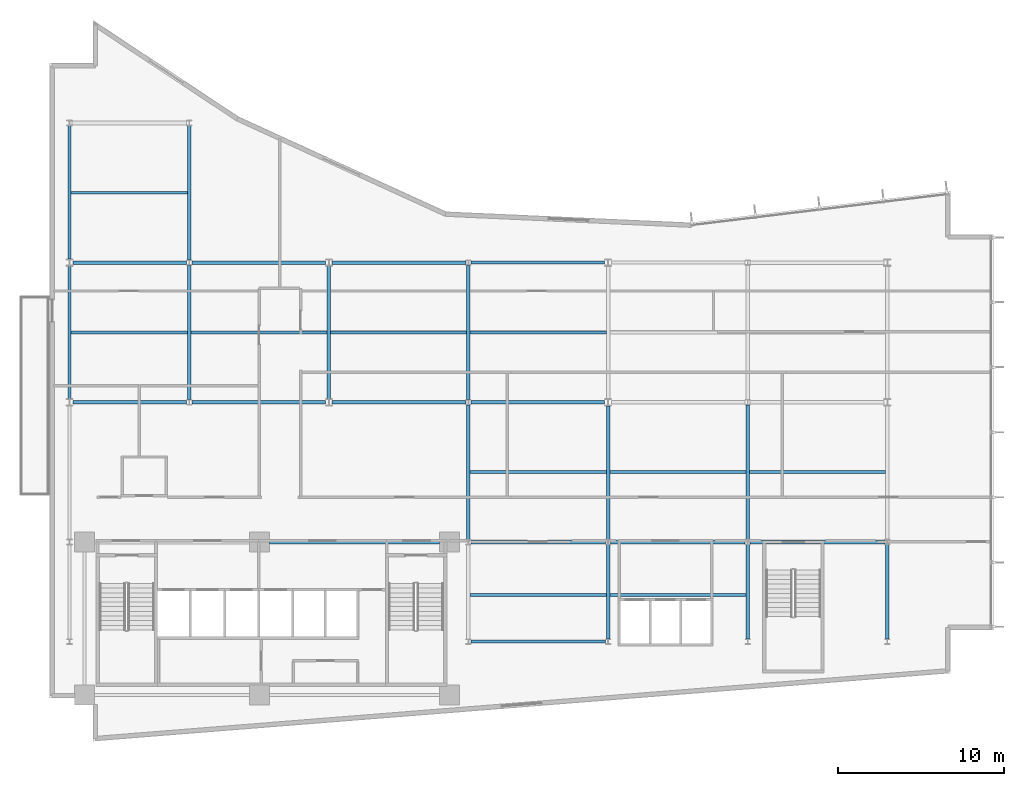
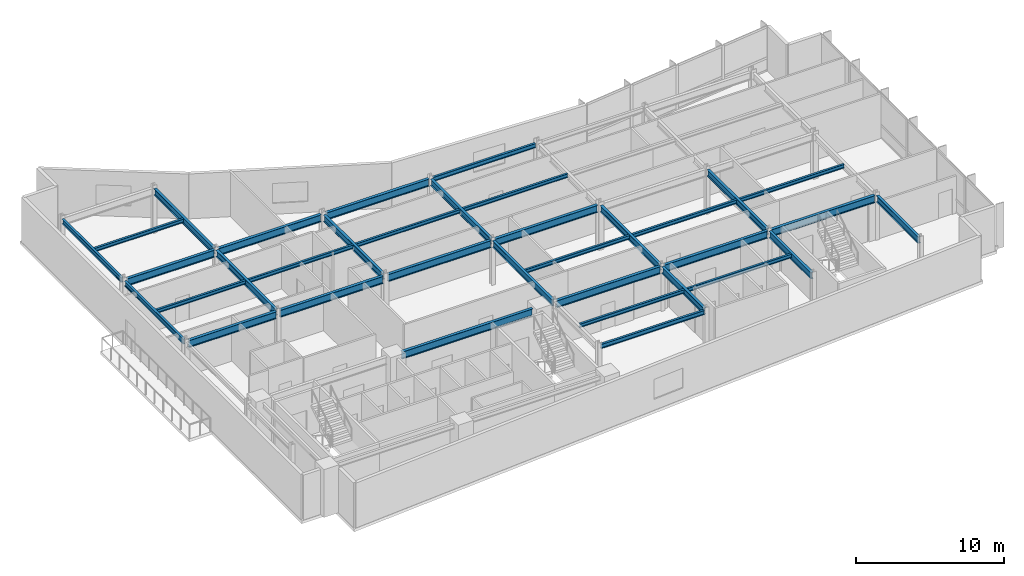
# One storey, part 4 of 16: 35 beams.
"""IFC4 building model written with IfcOpenShell, lengths in metres."""

from ifc_helpers import new_model, si_unit, direction, frame, origin, origin_2d, place, context, subcontext, project, spatial, i_section, extrude, material, material_profile, profile_set, type_object, element, save


model = new_model("IFC4")

# Units and contexts
model_context = context("Model", 3, precision=1e-05, world=origin(), true_north=direction((0.0, 1.0)))
body_context = subcontext(model_context, "Body", "Model", "MODEL_VIEW")
ifc_project = project(units=[si_unit("LENGTHUNIT", "METRE"), si_unit("AREAUNIT", "SQUARE_METRE"), si_unit("VOLUMEUNIT", "CUBIC_METRE"), si_unit("PLANEANGLEUNIT", "RADIAN"), si_unit("MASSUNIT", "GRAM", prefix="KILO")], contexts=[model_context])

# Site, building, storey
site_placement = place(None, origin())
site = spatial("IfcSite", under=ifc_project, at=site_placement, CompositionType="ELEMENT")
building_placement = place(site_placement, origin())
building = spatial("IfcBuilding", under=site, at=building_placement, Name="Varnakote Quay Hospital", CompositionType="ELEMENT")
storey_placement = place(building_placement, frame((0.0, 0.0, 166.550048828125)))
storey = spatial("IfcBuildingStorey", under=building, at=storey_placement, Name="L41", CompositionType="ELEMENT", Elevation=166.550048828125)

# Beams
ifc_material_1 = material(Name="Structural steel AS/NZS 3679.1 Grade 350 L0 (fy 340 MPa)", Category="steel")
ifc_material_profile_1 = material_profile(ifc_material_1, i_section(OverallWidth=0.208984375, OverallDepth=0.532958984375, WebThickness=0.01025390625, FlangeThickness=0.015625, FilletRadius=0.013916015625, at=origin_2d()), Name="530UB92.4")
ifc_profile_set_1 = profile_set([ifc_material_profile_1], Name="Structural steel AS/NZS 3679.1 Grade 350 L0 (fy 340 MPa)")
beam_type_1 = type_object("IfcBeamType", Name="BM-STL-530UB92-4", PredefinedType="BEAM", material=ifc_profile_set_1)
for number, where, z_axis, x_axis, name in (
    (1, (8.39990234375, 20.5576171875, 3.443359375), (0.0, 1.0, 0.0), (-1.0, 0.0, 0.0), "L41 Primary Tie Beam"),
    (2, (8.39990234375, 28.95751953125, 3.443359375), (0.0, 1.0, 0.0), (-1.0, 0.0, 0.0), "L41 Primary Tie Beam"),
):
    element("IfcBeam", number, at=place(storey_placement, frame(where, z_axis=z_axis, x_axis=x_axis)), inside=storey, type_object=beam_type_1, Name=name, PredefinedType="BEAM", context=body_context, shape_type="SweptSolid", body=[
        extrude(i_section(OverallWidth=0.208984375, OverallDepth=0.532958984375, WebThickness=0.01025390625, FlangeThickness=0.015625, FilletRadius=0.013916015625, at=origin_2d()), origin(), (0.0, 0.0, 1.0), 8.0849609375),
    ])
beam_1_placement = place(storey_placement, frame((16.800048828125, 20.610107421875, 3.443359375), z_axis=(0.0, 1.0, 0.0), x_axis=(-1.0, 0.0, 0.0)))
element("IfcBeam", 3, at=beam_1_placement, inside=storey, type_object=beam_type_1, Name="L41 Primary Tie Beam", PredefinedType="BEAM", context=body_context, shape_type="SweptSolid", body=[
    extrude(i_section(OverallWidth=0.208984375, OverallDepth=0.532958984375, WebThickness=0.01025390625, FlangeThickness=0.015625, FilletRadius=0.013916015625, at=origin_2d()), origin(), (0.0, 0.0, 1.0), 7.97998046875),
])
for number, where, z_axis, x_axis, name in (
    (4, (25.199951171875, 12.157470703125, 3.443359375), (0.0, 1.0, 0.0), (-1.0, 0.0, 0.0), "L41 Primary Tie Beam"),
    (5, (25.199951171875, 20.5576171875, 3.443359375), (0.0, 1.0, 0.0), (-1.0, 0.0, 0.0), "L41 Primary Tie Beam"),
):
    element("IfcBeam", number, at=place(storey_placement, frame(where, z_axis=z_axis, x_axis=x_axis)), inside=storey, type_object=beam_type_1, Name=name, PredefinedType="BEAM", context=body_context, shape_type="SweptSolid", body=[
        extrude(i_section(OverallWidth=0.208984375, OverallDepth=0.532958984375, WebThickness=0.01025390625, FlangeThickness=0.015625, FilletRadius=0.013916015625, at=origin_2d()), origin(), (0.0, 0.0, 1.0), 8.0849609375),
    ])
beam_2_placement = place(storey_placement, frame((33.60009765625, 6.157470703125, 3.443359375), z_axis=(0.0, 1.0, 0.0), x_axis=(-1.0, 0.0, 0.0)))
element("IfcBeam", 6, at=beam_2_placement, inside=storey, type_object=beam_type_1, Name="L41 Primary Tie Beam", PredefinedType="BEAM", context=body_context, shape_type="SweptSolid", body=[
    extrude(i_section(OverallWidth=0.208984375, OverallDepth=0.532958984375, WebThickness=0.01025390625, FlangeThickness=0.015625, FilletRadius=0.013916015625, at=origin_2d()), origin(), (0.0, 0.0, 1.0), 5.68505859375),
])
beam_3_placement = place(storey_placement, frame((33.60009765625, 12.157470703125, 3.443359375), z_axis=(0.0, 1.0, 0.0), x_axis=(-1.0, 0.0, 0.0)))
element("IfcBeam", 7, at=beam_3_placement, inside=storey, type_object=beam_type_1, Name="L41 Primary Tie Beam", PredefinedType="BEAM", context=body_context, shape_type="SweptSolid", body=[
    extrude(i_section(OverallWidth=0.208984375, OverallDepth=0.532958984375, WebThickness=0.01025390625, FlangeThickness=0.015625, FilletRadius=0.013916015625, at=origin_2d()), origin(), (0.0, 0.0, 1.0), 8.032470703125),
])
beam_4_placement = place(storey_placement, frame((42.0, 6.157470703125, 3.443359375), z_axis=(0.0, 1.0, 0.0), x_axis=(-1.0, 0.0, 0.0)))
element("IfcBeam", 8, at=beam_4_placement, inside=storey, type_object=beam_type_1, Name="L41 Primary Tie Beam", PredefinedType="BEAM", context=body_context, shape_type="SweptSolid", body=[
    extrude(i_section(OverallWidth=0.208984375, OverallDepth=0.532958984375, WebThickness=0.01025390625, FlangeThickness=0.015625, FilletRadius=0.013916015625, at=origin_2d()), origin(), (0.0, 0.0, 1.0), 5.68505859375),
])
beam_5_placement = place(storey_placement, frame((42.0, 12.157470703125, 3.443359375), z_axis=(0.0, 1.0, 0.0), x_axis=(-1.0, 0.0, 0.0)))
element("IfcBeam", 9, at=beam_5_placement, inside=storey, type_object=beam_type_1, Name="L41 Primary Tie Beam", PredefinedType="BEAM", context=body_context, shape_type="SweptSolid", body=[
    extrude(i_section(OverallWidth=0.208984375, OverallDepth=0.532958984375, WebThickness=0.01025390625, FlangeThickness=0.015625, FilletRadius=0.013916015625, at=origin_2d()), origin(), (0.0, 0.0, 1.0), 8.0849609375),
])
beam_6_placement = place(storey_placement, frame((50.39990234375, 6.157470703125, 3.443359375), z_axis=(0.0, 1.0, 0.0), x_axis=(-1.0, 0.0, 0.0)))
element("IfcBeam", 10, at=beam_6_placement, inside=storey, type_object=beam_type_1, Name="L41 Primary Tie Beam", PredefinedType="BEAM", context=body_context, shape_type="SweptSolid", body=[
    extrude(i_section(OverallWidth=0.208984375, OverallDepth=0.532958984375, WebThickness=0.01025390625, FlangeThickness=0.015625, FilletRadius=0.013916015625, at=origin_2d()), origin(), (0.0, 0.0, 1.0), 5.68505859375),
])
ifc_material_2 = material(Name="Structural steel AS/NZS 3679.1 Grade 350 L0 (fy 340 MPa)", Category="steel")
ifc_material_profile_2 = material_profile(ifc_material_2, i_section(OverallWidth=0.22802734375, OverallDepth=0.60205078125, WebThickness=0.010498046875, FlangeThickness=0.014892578125, FilletRadius=0.013916015625, at=origin_2d()), Name="610UB101")
ifc_profile_set_2 = profile_set([ifc_material_profile_2], Name="Structural steel AS/NZS 3679.1 Grade 350 L0 (fy 340 MPa)")
beam_type_2 = type_object("IfcBeamType", Name="BM-STL-610UB101", PredefinedType="BEAM", material=ifc_profile_set_2)
beam_7_placement = place(storey_placement, frame((13.219970703125, 12.0, 3.408935546875), z_axis=(1.0, 0.0, 0.0), x_axis=(0.0, 1.0, 0.0)))
element("IfcBeam", 11, at=beam_7_placement, inside=storey, type_object=beam_type_2, Name="L41 Primary Floor Beam", PredefinedType="BEAM", context=body_context, shape_type="SweptSolid", body=[
    extrude(i_section(OverallWidth=0.22802734375, OverallDepth=0.60205078125, WebThickness=0.010498046875, FlangeThickness=0.014892578125, FilletRadius=0.013916015625, at=origin_2d()), origin(), (0.0, 0.0, 1.0), 10.22998046875),
])
for number, where, z_axis, x_axis, name in (
    (12, (25.353515625, 12.0, 3.408935546875), (1.0, 0.0, 0.0), (0.0, 1.0, 0.0), "L41 Primary Floor Beam"),
    (13, (33.75341796875, 12.0, 3.408935546875), (1.0, 0.0, 0.0), (0.0, 1.0, 0.0), "L41 Primary Floor Beam"),
    (14, (42.153564453125, 12.0, 3.408935546875), (1.0, 0.0, 0.0), (0.0, 1.0, 0.0), "L41 Primary Floor Beam"),
):
    element("IfcBeam", number, at=place(storey_placement, frame(where, z_axis=z_axis, x_axis=x_axis)), inside=storey, type_object=beam_type_2, Name=name, PredefinedType="BEAM", context=body_context, shape_type="SweptSolid", body=[
        extrude(i_section(OverallWidth=0.22802734375, OverallDepth=0.60205078125, WebThickness=0.010498046875, FlangeThickness=0.014892578125, FilletRadius=0.013916015625, at=origin_2d()), origin(), (0.0, 0.0, 1.0), 8.093017578125),
    ])
beam_8_placement = place(storey_placement, frame((1.39990234375, 20.39990234375, 3.408935546875), z_axis=(1.0, 0.0, 0.0), x_axis=(0.0, 1.0, 0.0)))
element("IfcBeam", 15, at=beam_8_placement, inside=storey, type_object=beam_type_2, Name="L41 Primary Floor Beam", PredefinedType="BEAM", context=body_context, shape_type="SweptSolid", body=[
    extrude(i_section(OverallWidth=0.22802734375, OverallDepth=0.60205078125, WebThickness=0.010498046875, FlangeThickness=0.014892578125, FilletRadius=0.013916015625, at=origin_2d()), origin(), (0.0, 0.0, 1.0), 6.8466796875),
])
beam_9_placement = place(storey_placement, frame((8.553466796875, 20.39990234375, 3.408935546875), z_axis=(1.0, 0.0, 0.0), x_axis=(0.0, 1.0, 0.0)))
element("IfcBeam", 16, at=beam_9_placement, inside=storey, type_object=beam_type_2, Name="L41 Primary Floor Beam", PredefinedType="BEAM", context=body_context, shape_type="SweptSolid", body=[
    extrude(i_section(OverallWidth=0.22802734375, OverallDepth=0.60205078125, WebThickness=0.010498046875, FlangeThickness=0.014892578125, FilletRadius=0.013916015625, at=origin_2d()), origin(), (0.0, 0.0, 1.0), 8.046630859375),
])
for number, where, z_axis, x_axis, name in (
    (17, (17.0, 20.39990234375, 3.408935546875), (1.0, 0.0, 0.0), (0.0, 1.0, 0.0), "L41 Primary Floor Beam"),
    (18, (25.353515625, 20.39990234375, 3.408935546875), (1.0, 0.0, 0.0), (0.0, 1.0, 0.0), "L41 Primary Floor Beam"),
):
    element("IfcBeam", number, at=place(storey_placement, frame(where, z_axis=z_axis, x_axis=x_axis)), inside=storey, type_object=beam_type_2, Name=name, PredefinedType="BEAM", context=body_context, shape_type="SweptSolid", body=[
        extrude(i_section(OverallWidth=0.22802734375, OverallDepth=0.60205078125, WebThickness=0.010498046875, FlangeThickness=0.014892578125, FilletRadius=0.013916015625, at=origin_2d()), origin(), (0.0, 0.0, 1.0), 8.04638671875),
    ])
beam_10_placement = place(storey_placement, frame((1.39990234375, 28.800048828125, 3.408935546875), z_axis=(1.0, 0.0, 0.0), x_axis=(0.0, 1.0, 0.0)))
element("IfcBeam", 19, at=beam_10_placement, inside=storey, type_object=beam_type_2, Name="L41 Primary Floor Beam", PredefinedType="BEAM", context=body_context, shape_type="SweptSolid", body=[
    extrude(i_section(OverallWidth=0.22802734375, OverallDepth=0.60205078125, WebThickness=0.010498046875, FlangeThickness=0.014892578125, FilletRadius=0.013916015625, at=origin_2d()), origin(), (0.0, 0.0, 1.0), 6.8466796875),
])
beam_11_placement = place(storey_placement, frame((8.553466796875, 28.800048828125, 3.408935546875), z_axis=(1.0, 0.0, 0.0), x_axis=(0.0, 1.0, 0.0)))
element("IfcBeam", 20, at=beam_11_placement, inside=storey, type_object=beam_type_2, Name="L41 Primary Floor Beam", PredefinedType="BEAM", context=body_context, shape_type="SweptSolid", body=[
    extrude(i_section(OverallWidth=0.22802734375, OverallDepth=0.60205078125, WebThickness=0.010498046875, FlangeThickness=0.014892578125, FilletRadius=0.013916015625, at=origin_2d()), origin(), (0.0, 0.0, 1.0), 8.046630859375),
])
beam_12_placement = place(storey_placement, frame((17.0, 28.800048828125, 3.408935546875), z_axis=(1.0, 0.0, 0.0), x_axis=(0.0, 1.0, 0.0)))
element("IfcBeam", 21, at=beam_12_placement, inside=storey, type_object=beam_type_2, Name="L41 Primary Floor Beam", PredefinedType="BEAM", context=body_context, shape_type="SweptSolid", body=[
    extrude(i_section(OverallWidth=0.22802734375, OverallDepth=0.60205078125, WebThickness=0.010498046875, FlangeThickness=0.014892578125, FilletRadius=0.013916015625, at=origin_2d()), origin(), (0.0, 0.0, 1.0), 8.04638671875),
])
ifc_material_3 = material(Name="Structural steel AS/NZS 3679.1 Grade 350 L0 (fy 340 MPa)", Category="steel")
ifc_material_profile_3 = material_profile(ifc_material_3, i_section(OverallWidth=0.166015625, OverallDepth=0.306884765625, WebThickness=0.006591796875, FlangeThickness=0.01171875, FilletRadius=0.011474609375, at=origin_2d()), Name="310UB46.2")
ifc_profile_set_3 = profile_set([ifc_material_profile_3], Name="Structural steel AS/NZS 3679.1 Grade 350 L0 (fy 340 MPa)")
beam_type_3 = type_object("IfcBeamType", Name="JST-STL-310UB46-2", PredefinedType="JOIST", material=ifc_profile_set_3)
beam_13_placement = place(storey_placement, frame((25.304443359375, 8.800048828125, 3.556396484375), z_axis=(1.0, 0.0, 0.0), x_axis=(0.0, 1.0, 0.0)))
element("IfcBeam", 22, at=beam_13_placement, inside=storey, type_object=beam_type_3, Name="L41 Composite Floor Joist", PredefinedType="JOIST", context=body_context, shape_type="SweptSolid", body=[
    extrude(i_section(OverallWidth=0.166015625, OverallDepth=0.306884765625, WebThickness=0.006591796875, FlangeThickness=0.01171875, FilletRadius=0.011474609375, at=origin_2d()), origin(), (0.0, 0.0, 1.0), 8.191162109375),
])
beam_14_placement = place(storey_placement, frame((33.70458984375, 8.800048828125, 3.556396484375), z_axis=(1.0, 0.0, 0.0), x_axis=(0.0, 1.0, 0.0)))
element("IfcBeam", 23, at=beam_14_placement, inside=storey, type_object=beam_type_3, Name="L41 Composite Floor Joist", PredefinedType="JOIST", context=body_context, shape_type="SweptSolid", body=[
    extrude(i_section(OverallWidth=0.166015625, OverallDepth=0.306884765625, WebThickness=0.006591796875, FlangeThickness=0.01171875, FilletRadius=0.011474609375, at=origin_2d()), origin(), (0.0, 0.0, 1.0), 8.19091796875),
])
beam_15_placement = place(storey_placement, frame((25.304443359375, 16.199951171875, 3.556396484375), z_axis=(1.0, 0.0, 0.0), x_axis=(0.0, 1.0, 0.0)))
element("IfcBeam", 24, at=beam_15_placement, inside=storey, type_object=beam_type_3, Name="L41 Composite Floor Joist", PredefinedType="JOIST", context=body_context, shape_type="SweptSolid", body=[
    extrude(i_section(OverallWidth=0.166015625, OverallDepth=0.306884765625, WebThickness=0.006591796875, FlangeThickness=0.01171875, FilletRadius=0.011474609375, at=origin_2d()), origin(), (0.0, 0.0, 1.0), 8.191162109375),
])
for number, where, z_axis, x_axis, name in (
    (25, (33.70458984375, 16.199951171875, 3.556396484375), (1.0, 0.0, 0.0), (0.0, 1.0, 0.0), "L41 Composite Floor Joist"),
    (26, (42.1044921875, 16.199951171875, 3.556396484375), (1.0, 0.0, 0.0), (0.0, 1.0, 0.0), "L41 Composite Floor Joist"),
):
    element("IfcBeam", number, at=place(storey_placement, frame(where, z_axis=z_axis, x_axis=x_axis)), inside=storey, type_object=beam_type_3, Name=name, PredefinedType="JOIST", context=body_context, shape_type="SweptSolid", body=[
        extrude(i_section(OverallWidth=0.166015625, OverallDepth=0.306884765625, WebThickness=0.006591796875, FlangeThickness=0.01171875, FilletRadius=0.011474609375, at=origin_2d()), origin(), (0.0, 0.0, 1.0), 8.19091796875),
    ])
beam_16_placement = place(storey_placement, frame((1.2890625, 24.60009765625, 3.556396484375), z_axis=(1.0, 0.0, 0.0), x_axis=(0.0, 1.0, 0.0)))
element("IfcBeam", 27, at=beam_16_placement, inside=storey, type_object=beam_type_3, Name="L41 Composite Floor Joist", PredefinedType="JOIST", context=body_context, shape_type="SweptSolid", body=[
    extrude(i_section(OverallWidth=0.166015625, OverallDepth=0.306884765625, WebThickness=0.006591796875, FlangeThickness=0.01171875, FilletRadius=0.011474609375, at=origin_2d()), origin(), (0.0, 0.0, 1.0), 7.00634765625),
])
beam_17_placement = place(storey_placement, frame((8.50439453125, 24.60009765625, 3.556396484375), z_axis=(1.0, 0.0, 0.0), x_axis=(0.0, 1.0, 0.0)))
element("IfcBeam", 28, at=beam_17_placement, inside=storey, type_object=beam_type_3, Name="L41 Composite Floor Joist", PredefinedType="JOIST", context=body_context, shape_type="SweptSolid", body=[
    extrude(i_section(OverallWidth=0.166015625, OverallDepth=0.306884765625, WebThickness=0.006591796875, FlangeThickness=0.01171875, FilletRadius=0.011474609375, at=origin_2d()), origin(), (0.0, 0.0, 1.0), 8.191162109375),
])
beam_18_placement = place(storey_placement, frame((16.904541015625, 24.60009765625, 3.556396484375), z_axis=(1.0, 0.0, 0.0), x_axis=(0.0, 1.0, 0.0)))
element("IfcBeam", 29, at=beam_18_placement, inside=storey, type_object=beam_type_3, Name="L41 Composite Floor Joist", PredefinedType="JOIST", context=body_context, shape_type="SweptSolid", body=[
    extrude(i_section(OverallWidth=0.166015625, OverallDepth=0.306884765625, WebThickness=0.006591796875, FlangeThickness=0.01171875, FilletRadius=0.011474609375, at=origin_2d()), origin(), (0.0, 0.0, 1.0), 8.19091796875),
])
beam_19_placement = place(storey_placement, frame((25.304443359375, 24.60009765625, 3.556396484375), z_axis=(1.0, 0.0, 0.0), x_axis=(0.0, 1.0, 0.0)))
element("IfcBeam", 30, at=beam_19_placement, inside=storey, type_object=beam_type_3, Name="L41 Composite Floor Joist", PredefinedType="JOIST", context=body_context, shape_type="SweptSolid", body=[
    extrude(i_section(OverallWidth=0.166015625, OverallDepth=0.306884765625, WebThickness=0.006591796875, FlangeThickness=0.01171875, FilletRadius=0.011474609375, at=origin_2d()), origin(), (0.0, 0.0, 1.0), 8.191162109375),
])
beam_20_placement = place(storey_placement, frame((1.2890625, 33.0, 3.556396484375), z_axis=(1.0, 0.0, 0.0), x_axis=(0.0, 1.0, 0.0)))
element("IfcBeam", 31, at=beam_20_placement, inside=storey, type_object=beam_type_3, Name="L41 Composite Floor Joist", PredefinedType="JOIST", context=body_context, shape_type="SweptSolid", body=[
    extrude(i_section(OverallWidth=0.166015625, OverallDepth=0.306884765625, WebThickness=0.006591796875, FlangeThickness=0.01171875, FilletRadius=0.011474609375, at=origin_2d()), origin(), (0.0, 0.0, 1.0), 7.00634765625),
])
ifc_material_4 = material(Name="Structural steel AS/NZS 3679.1 Grade 350 L0 (fy 340 MPa)", Category="steel")
ifc_material_profile_4 = material_profile(ifc_material_4, i_section(OverallWidth=0.172119140625, OverallDepth=0.35888671875, WebThickness=0.008056640625, FlangeThickness=0.012939453125, FilletRadius=0.011474609375, at=origin_2d()), Name="360UB56.7")
ifc_profile_set_4 = profile_set([ifc_material_profile_4], Name="Structural steel AS/NZS 3679.1 Grade 350 L0 (fy 340 MPa)")
beam_type_4 = type_object("IfcBeamType", Name="SPN-STL-360UB56-7", PredefinedType="SPANDREL", material=ifc_profile_set_4)
beam_21_placement = place(storey_placement, frame((25.353515625, 6.0, 3.530517578125), z_axis=(1.0, 0.0, 0.0), x_axis=(0.0, 1.0, 0.0)))
element("IfcBeam", 32, at=beam_21_placement, inside=storey, type_object=beam_type_4, Name="L41 Perimeter Spandrel Beam", PredefinedType="SPANDREL", context=body_context, shape_type="SweptSolid", body=[
    extrude(i_section(OverallWidth=0.172119140625, OverallDepth=0.35888671875, WebThickness=0.008056640625, FlangeThickness=0.012939453125, FilletRadius=0.011474609375, at=origin_2d()), origin(), (0.0, 0.0, 1.0), 8.093017578125),
])
beam_22_placement = place(storey_placement, frame((25.353515625, 28.800048828125, 3.530517578125), z_axis=(1.0, 0.0, 0.0), x_axis=(0.0, 1.0, 0.0)))
element("IfcBeam", 33, at=beam_22_placement, inside=storey, type_object=beam_type_4, Name="L41 Perimeter Spandrel Beam", PredefinedType="SPANDREL", context=body_context, shape_type="SweptSolid", body=[
    extrude(i_section(OverallWidth=0.172119140625, OverallDepth=0.35888671875, WebThickness=0.008056640625, FlangeThickness=0.012939453125, FilletRadius=0.011474609375, at=origin_2d()), origin(), (0.0, 0.0, 1.0), 8.04638671875),
])
ifc_material_5 = material(Name="Structural steel AS/NZS 3679.1 Grade 350 L0 (fy 340 MPa)", Category="steel")
ifc_material_profile_5 = material_profile(ifc_material_5, i_section(OverallWidth=0.177978515625, OverallDepth=0.403076171875, WebThickness=0.007568359375, FlangeThickness=0.010986328125, FilletRadius=0.011474609375, at=origin_2d()), Name="410UB53.7")
ifc_profile_set_5 = profile_set([ifc_material_profile_5], Name="Structural steel AS/NZS 3679.1 Grade 350 L0 (fy 340 MPa)")
beam_type_5 = type_object("IfcBeamType", Name="SPN-STL-410UB53-7", PredefinedType="SPANDREL", material=ifc_profile_set_5)
beam_23_placement = place(storey_placement, frame((1.199951171875, 20.610107421875, 3.508544921875), z_axis=(0.0, 1.0, 0.0), x_axis=(-1.0, 0.0, 0.0)))
element("IfcBeam", 34, at=beam_23_placement, inside=storey, type_object=beam_type_5, Name="L41 Perimeter Spandrel Beam", PredefinedType="SPANDREL", context=body_context, shape_type="SweptSolid", body=[
    extrude(i_section(OverallWidth=0.177978515625, OverallDepth=0.403076171875, WebThickness=0.007568359375, FlangeThickness=0.010986328125, FilletRadius=0.011474609375, at=origin_2d()), origin(), (0.0, 0.0, 1.0), 7.97998046875),
])
beam_24_placement = place(storey_placement, frame((1.199951171875, 29.010009765625, 3.508544921875), z_axis=(0.0, 1.0, 0.0), x_axis=(-1.0, 0.0, 0.0)))
element("IfcBeam", 35, at=beam_24_placement, inside=storey, type_object=beam_type_5, Name="L41 Perimeter Spandrel Beam", PredefinedType="SPANDREL", context=body_context, shape_type="SweptSolid", body=[
    extrude(i_section(OverallWidth=0.177978515625, OverallDepth=0.403076171875, WebThickness=0.007568359375, FlangeThickness=0.010986328125, FilletRadius=0.011474609375, at=origin_2d()), origin(), (0.0, 0.0, 1.0), 8.032470703125),
])

save(model, "model.ifc")
